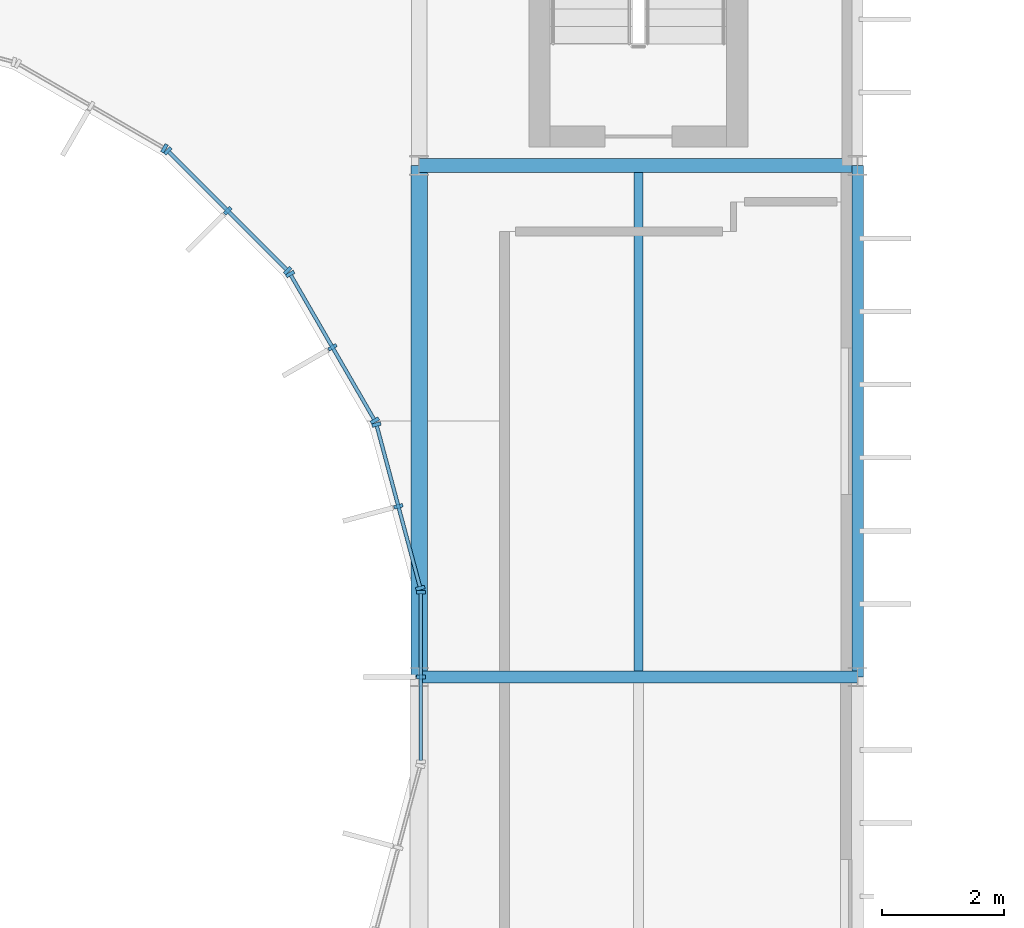
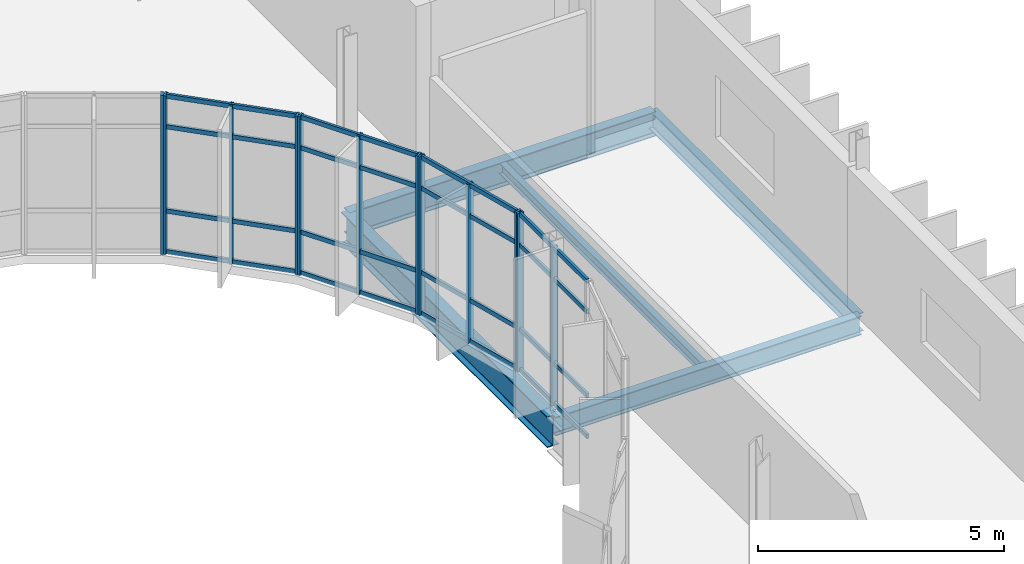
# One storey, part 25 of 61: 28 members, 5 beams, 5 elements without a shape of their own.
"""IFC4 building model written with IfcOpenShell, lengths in metres."""

from ifc_helpers import new_model, si_unit, direction, frame, origin, origin_2d, place, context, subcontext, project, spatial, rectangle, i_section, extrude, material, material_profile, profile_set, type_object, element, aggregate, save


model = new_model("IFC4")

# Units and contexts
model_context = context("Model", 3, precision=1e-05, world=origin(), true_north=direction((0.0, 1.0)))
body_context = subcontext(model_context, "Body", "Model", "MODEL_VIEW")
ifc_project = project(units=[si_unit("LENGTHUNIT", "METRE"), si_unit("AREAUNIT", "SQUARE_METRE"), si_unit("VOLUMEUNIT", "CUBIC_METRE"), si_unit("PLANEANGLEUNIT", "RADIAN"), si_unit("MASSUNIT", "GRAM", prefix="KILO")], contexts=[model_context])

# Site, building, storey
site_placement = place(None, origin())
site = spatial("IfcSite", under=ifc_project, at=site_placement, CompositionType="ELEMENT")
building_placement = place(site_placement, origin())
building = spatial("IfcBuilding", under=site, at=building_placement, Name="Qelthora Terrace Specialist Clinic", CompositionType="ELEMENT")
storey_placement = place(building_placement, frame((0.0, 0.0, 13.199951171875)))
storey = spatial("IfcBuildingStorey", under=building, at=storey_placement, Name="L03", CompositionType="ELEMENT", Elevation=13.199951171875)

# Beams
ifc_material_1 = material(Name="Steel S355", Category="steel")
ifc_material_profile_1 = material_profile(ifc_material_1, i_section(OverallWidth=0.19091796875, OverallDepth=0.4599609375, WebThickness=0.010009765625, FlangeThickness=0.01611328125, FilletRadius=0.012939453125, at=origin_2d()), Name="W460X82")
ifc_profile_set_1 = profile_set([ifc_material_profile_1], Name="Steel S355")
beam_type_1 = type_object("IfcBeamType", Name="BM-W460X82", PredefinedType="BEAM", material=ifc_profile_set_1)
beam_1_placement = place(storey_placement, frame((43.199951171875, 84.0, -0.47998046875), z_axis=(0.0, 1.0, 0.0), x_axis=(-1.0, 0.0, 0.0)))
element("IfcBeam", 1, at=beam_1_placement, inside=storey, type_object=beam_type_1, Name="Girder BMY-L03-1058", PredefinedType="BEAM", context=body_context, shape_type="SweptSolid", body=[
    extrude(i_section(OverallWidth=0.19091796875, OverallDepth=0.4599609375, WebThickness=0.010009765625, FlangeThickness=0.01611328125, FilletRadius=0.012939453125, at=origin_2d()), origin(), (0.0, 0.0, 1.0), 8.39990234375),
])
ifc_material_profile_2 = material_profile(ifc_material_1, i_section(OverallWidth=0.193115234375, OverallDepth=0.466064453125, WebThickness=0.011474609375, FlangeThickness=0.01904296875, FilletRadius=0.012939453125, at=origin_2d()), Name="W460X97")
ifc_profile_set_2 = profile_set([ifc_material_profile_2], Name="Steel S355")
beam_type_2 = type_object("IfcBeamType", Name="BM-W460X97", PredefinedType="BEAM", material=ifc_profile_set_2)
beam_2_placement = place(storey_placement, frame((36.0, 84.0, -0.48291015625), z_axis=(1.0, 0.0, 0.0), x_axis=(0.0, 1.0, 0.0)))
element("IfcBeam", 2, at=beam_2_placement, inside=storey, type_object=beam_type_2, Name="Girder BMX-L03-0973", PredefinedType="BEAM", context=body_context, shape_type="SweptSolid", body=[
    extrude(i_section(OverallWidth=0.193115234375, OverallDepth=0.466064453125, WebThickness=0.011474609375, FlangeThickness=0.01904296875, FilletRadius=0.012939453125, at=origin_2d()), origin(), (0.0, 0.0, 1.0), 7.199951171875),
])
ifc_material_profile_3 = material_profile(ifc_material_1, i_section(OverallWidth=0.22900390625, OverallDepth=0.612060546875, WebThickness=0.011962890625, FlangeThickness=0.01953125, FilletRadius=0.01611328125, at=origin_2d()), Name="W610X125")
ifc_profile_set_3 = profile_set([ifc_material_profile_3], Name="Steel S355")
beam_type_3 = type_object("IfcBeamType", Name="BM-W610X125", PredefinedType="BEAM", material=ifc_profile_set_3)
beam_3_placement = place(storey_placement, frame((36.0, 92.39990234375, -0.555908203125), z_axis=(1.0, 0.0, 0.0), x_axis=(0.0, 1.0, 0.0)))
element("IfcBeam", 3, at=beam_3_placement, inside=storey, type_object=beam_type_3, Name="Girder BMX-L03-0984", PredefinedType="BEAM", context=body_context, shape_type="SweptSolid", body=[
    extrude(i_section(OverallWidth=0.22900390625, OverallDepth=0.612060546875, WebThickness=0.011962890625, FlangeThickness=0.01953125, FilletRadius=0.01611328125, at=origin_2d()), origin(), (0.0, 0.0, 1.0), 7.199951171875),
])
ifc_material_profile_4 = material_profile(ifc_material_1, i_section(OverallWidth=0.26806640625, OverallDepth=0.77001953125, WebThickness=0.015625, FlangeThickness=0.025390625, FilletRadius=0.01904296875, at=origin_2d()), Name="W760X196")
ifc_profile_set_4 = profile_set([ifc_material_profile_4], Name="Steel S355")
beam_type_4 = type_object("IfcBeamType", Name="BM-W760X196", PredefinedType="BEAM", material=ifc_profile_set_4)
beam_4_placement = place(storey_placement, frame((36.0, 84.0, -0.635009765625), z_axis=(0.0, 1.0, 0.0), x_axis=(-1.0, 0.0, 0.0)))
element("IfcBeam", 4, at=beam_4_placement, inside=storey, type_object=beam_type_4, Name="Girder BMY-L03-1052", PredefinedType="BEAM", context=body_context, shape_type="SweptSolid", body=[
    extrude(i_section(OverallWidth=0.26806640625, OverallDepth=0.77001953125, WebThickness=0.015625, FlangeThickness=0.025390625, FilletRadius=0.01904296875, at=origin_2d()), origin(), (0.0, 0.0, 1.0), 8.39990234375),
])

# Curtain wall, members
ifc_material_2 = material(Name="Aluminium anodized bronze", Category="aluminium")
curtain_wall_type = type_object("IfcCurtainWallType", Name="CW-CRTW-UPP", PredefinedType="NOTDEFINED", material=ifc_material_2)
curtain_wall_1_placement = place(storey_placement, origin())
curtain_wall_1 = element("IfcCurtainWall", 5, at=curtain_wall_1_placement, inside=storey, type_object=curtain_wall_type, Name="Curtain wall CW-CW-L03-01", PredefinedType="NOTDEFINED")
ifc_material_profile_5 = material_profile(ifc_material_2, rectangle(XDim=0.06005859375, YDim=0.14990234375, at=origin_2d()), Name="CWM60X150")
ifc_profile_set_5 = profile_set([ifc_material_profile_5], Name="Aluminium anodized bronze")
member_type_1 = type_object("IfcMemberType", Name="CWM-60X150", PredefinedType="MULLION", material=ifc_profile_set_5)
member_1_placement = place(storey_placement, frame((36.018310546875, 85.4599609375, 0.0), z_axis=(0.0, 0.0, 1.0), x_axis=(-0.258820356987, 0.96592547477, 0.0)))
member_1 = element("IfcMember", 6, at=member_1_placement, type_object=member_type_1, Name="CW-CW-L03-01 mullion 1", PredefinedType="MULLION", context=body_context, shape_type="SweptSolid", body=[
    extrude(rectangle(XDim=0.06005859375, YDim=0.14990234375, at=origin_2d()), origin(), (0.0, 0.0, 1.0), 3.945068359375),
])
member_2_placement = place(storey_placement, frame((35.65869140625, 86.802490234375, 0.0), z_axis=(0.0, 0.0, 1.0), x_axis=(-0.258820356987, 0.96592547477, 0.0)))
member_2 = element("IfcMember", 7, at=member_2_placement, type_object=member_type_1, Name="CW-CW-L03-01 mullion 2", PredefinedType="MULLION", context=body_context, shape_type="SweptSolid", body=[
    extrude(rectangle(XDim=0.06005859375, YDim=0.14990234375, at=origin_2d()), origin(), (0.0, 0.0, 1.0), 3.945068359375),
])
member_3_placement = place(storey_placement, frame((35.299072265625, 88.144775390625, 0.0), z_axis=(0.0, 0.0, 1.0), x_axis=(-0.258820356987, 0.96592547477, 0.0)))
member_3 = element("IfcMember", 8, at=member_3_placement, type_object=member_type_1, Name="CW-CW-L03-01 mullion 3", PredefinedType="MULLION", context=body_context, shape_type="SweptSolid", body=[
    extrude(rectangle(XDim=0.06005859375, YDim=0.14990234375, at=origin_2d()), origin(), (0.0, 0.0, 1.0), 3.945068359375),
])

curtain_wall_2_placement = place(storey_placement, origin())
curtain_wall_2 = element("IfcCurtainWall", 9, at=curtain_wall_2_placement, inside=storey, type_object=curtain_wall_type, Name="Curtain wall CW-CW-L03-02", PredefinedType="NOTDEFINED")
member_4_placement = place(storey_placement, frame((35.271728515625, 88.210205078125, 0.0), z_axis=(0.0, 0.0, 1.0), x_axis=(-0.499999597971, 0.866025635896, 0.0)))
member_4 = element("IfcMember", 10, at=member_4_placement, type_object=member_type_1, Name="CW-CW-L03-02 mullion 1", PredefinedType="MULLION", context=body_context, shape_type="SweptSolid", body=[
    extrude(rectangle(XDim=0.06005859375, YDim=0.14990234375, at=origin_2d()), origin(), (0.0, 0.0, 1.0), 3.945068359375),
])
member_5_placement = place(storey_placement, frame((34.576904296875, 89.413818359375, 0.0), z_axis=(0.0, 0.0, 1.0), x_axis=(-0.499999597971, 0.866025635896, 0.0)))
member_5 = element("IfcMember", 11, at=member_5_placement, type_object=member_type_1, Name="CW-CW-L03-02 mullion 2", PredefinedType="MULLION", context=body_context, shape_type="SweptSolid", body=[
    extrude(rectangle(XDim=0.06005859375, YDim=0.14990234375, at=origin_2d()), origin(), (0.0, 0.0, 1.0), 3.945068359375),
])
member_6_placement = place(storey_placement, frame((33.882080078125, 90.6171875, 0.0), z_axis=(0.0, 0.0, 1.0), x_axis=(-0.499999597971, 0.866025635896, 0.0)))
member_6 = element("IfcMember", 12, at=member_6_placement, type_object=member_type_1, Name="CW-CW-L03-02 mullion 3", PredefinedType="MULLION", context=body_context, shape_type="SweptSolid", body=[
    extrude(rectangle(XDim=0.06005859375, YDim=0.14990234375, at=origin_2d()), origin(), (0.0, 0.0, 1.0), 3.945068359375),
])

curtain_wall_3_placement = place(storey_placement, origin())
curtain_wall_3 = element("IfcCurtainWall", 13, at=curtain_wall_3_placement, inside=storey, type_object=curtain_wall_type, Name="Curtain wall CW-CW-L03-03", PredefinedType="NOTDEFINED")
member_7_placement = place(storey_placement, frame((33.8388671875, 90.673583984375, 0.0), z_axis=(0.0, 0.0, 1.0), x_axis=(-0.707106781187, 0.707106781187, 0.0)))
member_7 = element("IfcMember", 14, at=member_7_placement, type_object=member_type_1, Name="CW-CW-L03-03 mullion 1", PredefinedType="MULLION", context=body_context, shape_type="SweptSolid", body=[
    extrude(rectangle(XDim=0.06005859375, YDim=0.14990234375, at=origin_2d()), origin(), (0.0, 0.0, 1.0), 3.945068359375),
])
member_8_placement = place(storey_placement, frame((32.856201171875, 91.65625, 0.0), z_axis=(0.0, 0.0, 1.0), x_axis=(-0.707106781187, 0.707106781187, 0.0)))
member_8 = element("IfcMember", 15, at=member_8_placement, type_object=member_type_1, Name="CW-CW-L03-03 mullion 2", PredefinedType="MULLION", context=body_context, shape_type="SweptSolid", body=[
    extrude(rectangle(XDim=0.06005859375, YDim=0.14990234375, at=origin_2d()), origin(), (0.0, 0.0, 1.0), 3.945068359375),
])
member_9_placement = place(storey_placement, frame((31.87353515625, 92.638916015625, 0.0), z_axis=(0.0, 0.0, 1.0), x_axis=(-0.707106781187, 0.707106781187, 0.0)))
member_9 = element("IfcMember", 16, at=member_9_placement, type_object=member_type_1, Name="CW-CW-L03-03 mullion 3", PredefinedType="MULLION", context=body_context, shape_type="SweptSolid", body=[
    extrude(rectangle(XDim=0.06005859375, YDim=0.14990234375, at=origin_2d()), origin(), (0.0, 0.0, 1.0), 3.945068359375),
])

# Curtain wall, member
curtain_wall_4_placement = place(storey_placement, origin())
curtain_wall_4 = element("IfcCurtainWall", 17, at=curtain_wall_4_placement, inside=storey, type_object=curtain_wall_type, Name="Curtain wall CW-CW-L03-04", PredefinedType="NOTDEFINED")
member_10_placement = place(storey_placement, frame((31.8173828125, 92.68212890625, 0.0), z_axis=(0.0, 0.0, 1.0), x_axis=(-0.866025635896, 0.499999597971, 0.0)))
member_10 = element("IfcMember", 18, at=member_10_placement, type_object=member_type_1, Name="CW-CW-L03-04 mullion 1", PredefinedType="MULLION", context=body_context, shape_type="SweptSolid", body=[
    extrude(rectangle(XDim=0.06005859375, YDim=0.14990234375, at=origin_2d()), origin(), (0.0, 0.0, 1.0), 3.945068359375),
])
aggregate(curtain_wall_4, [member_10])

# Curtain wall, members
curtain_wall_5_placement = place(storey_placement, origin())
curtain_wall_5 = element("IfcCurtainWall", 19, at=curtain_wall_5_placement, inside=storey, type_object=curtain_wall_type, Name="Curtain wall CW-CW-L03-24", PredefinedType="NOTDEFINED")
member_11_placement = place(storey_placement, frame((36.027587890625, 84.0, 0.0), z_axis=(0.0, 0.0, 1.0), x_axis=(0.0, 1.0, 0.0)))
member_11 = element("IfcMember", 20, at=member_11_placement, type_object=member_type_1, Name="CW-CW-L03-24 mullion 2", PredefinedType="MULLION", context=body_context, shape_type="SweptSolid", body=[
    extrude(rectangle(XDim=0.06005859375, YDim=0.14990234375, at=origin_2d()), origin(), (0.0, 0.0, 1.0), 3.945068359375),
])
member_12_placement = place(storey_placement, frame((36.027587890625, 85.3896484375, 0.0), z_axis=(0.0, 0.0, 1.0), x_axis=(0.0, 1.0, 0.0)))
member_12 = element("IfcMember", 21, at=member_12_placement, type_object=member_type_1, Name="CW-CW-L03-24 mullion 3", PredefinedType="MULLION", context=body_context, shape_type="SweptSolid", body=[
    extrude(rectangle(XDim=0.06005859375, YDim=0.14990234375, at=origin_2d()), origin(), (0.0, 0.0, 1.0), 3.945068359375),
])

# Member
ifc_material_profile_6 = material_profile(ifc_material_2, rectangle(XDim=0.06005859375, YDim=0.110107421875, at=origin_2d()), Name="CWT60X110")
ifc_profile_set_6 = profile_set([ifc_material_profile_6], Name="Aluminium anodized bronze")
member_type_2 = type_object("IfcMemberType", Name="CWT-60X110", PredefinedType="USERDEFINED", material=ifc_profile_set_6)
member_13_placement = place(storey_placement, frame((36.01318359375, 85.4794921875, 0.0400390625), z_axis=(-0.258816272122, 0.965926569303, 0.0), x_axis=(-0.965926569303, -0.258816272122, 0.0)))
member_13 = element("IfcMember", 22, at=member_13_placement, type_object=member_type_2, Name="CW-CW-L03-01 transom 1", ObjectType="TRANSOM", PredefinedType="USERDEFINED", context=body_context, shape_type="SweptSolid", body=[
    extrude(rectangle(XDim=0.06005859375, YDim=0.110107421875, at=origin_2d()), origin(), (0.0, 0.0, 1.0), 2.7392578125),
])

member_14_placement = place(storey_placement, frame((36.01318359375, 85.4794921875, 1.050048828125), z_axis=(-0.258816272122, 0.965926569303, 0.0), x_axis=(-0.965926569303, -0.258816272122, 0.0)))
member_14 = element("IfcMember", 23, at=member_14_placement, type_object=member_type_2, Name="CW-CW-L03-01 transom 2", ObjectType="TRANSOM", PredefinedType="USERDEFINED", context=body_context, shape_type="SweptSolid", body=[
    extrude(rectangle(XDim=0.06005859375, YDim=0.110107421875, at=origin_2d()), origin(), (0.0, 0.0, 1.0), 2.7392578125),
])

member_15_placement = place(storey_placement, frame((36.01318359375, 85.4794921875, 3.14501953125), z_axis=(-0.258816272122, 0.965926569303, 0.0), x_axis=(-0.965926569303, -0.258816272122, 0.0)))
member_15 = element("IfcMember", 24, at=member_15_placement, type_object=member_type_2, Name="CW-CW-L03-01 transom 3", ObjectType="TRANSOM", PredefinedType="USERDEFINED", context=body_context, shape_type="SweptSolid", body=[
    extrude(rectangle(XDim=0.06005859375, YDim=0.110107421875, at=origin_2d()), origin(), (0.0, 0.0, 1.0), 2.7392578125),
])

member_16_placement = place(storey_placement, frame((36.01318359375, 85.4794921875, 3.905029296875), z_axis=(-0.258816272122, 0.965926569303, 0.0), x_axis=(-0.965926569303, -0.258816272122, 0.0)))
member_16 = element("IfcMember", 25, at=member_16_placement, type_object=member_type_2, Name="CW-CW-L03-01 transom 4", ObjectType="TRANSOM", PredefinedType="USERDEFINED", context=body_context, shape_type="SweptSolid", body=[
    extrude(rectangle(XDim=0.06005859375, YDim=0.110107421875, at=origin_2d()), origin(), (0.0, 0.0, 1.0), 2.7392578125),
])

aggregate(curtain_wall_1, [member_1, member_2, member_3, member_13, member_14, member_15, member_16])

member_17_placement = place(storey_placement, frame((35.26171875, 88.2275390625, 0.0400390625), z_axis=(-0.499953886166, 0.866052025982, 0.0), x_axis=(-0.866052025982, -0.499953886166, 0.0)))
member_17 = element("IfcMember", 26, at=member_17_placement, type_object=member_type_2, Name="CW-CW-L03-02 transom 1", ObjectType="TRANSOM", PredefinedType="USERDEFINED", context=body_context, shape_type="SweptSolid", body=[
    extrude(rectangle(XDim=0.06005859375, YDim=0.110107421875, at=origin_2d()), origin(), (0.0, 0.0, 1.0), 2.739501953125),
])

member_18_placement = place(storey_placement, frame((35.26171875, 88.2275390625, 1.050048828125), z_axis=(-0.499953886166, 0.866052025982, 0.0), x_axis=(-0.866052025982, -0.499953886166, 0.0)))
member_18 = element("IfcMember", 27, at=member_18_placement, type_object=member_type_2, Name="CW-CW-L03-02 transom 2", ObjectType="TRANSOM", PredefinedType="USERDEFINED", context=body_context, shape_type="SweptSolid", body=[
    extrude(rectangle(XDim=0.06005859375, YDim=0.110107421875, at=origin_2d()), origin(), (0.0, 0.0, 1.0), 2.739501953125),
])

member_19_placement = place(storey_placement, frame((35.26171875, 88.2275390625, 3.14501953125), z_axis=(-0.499953886166, 0.866052025982, 0.0), x_axis=(-0.866052025982, -0.499953886166, 0.0)))
member_19 = element("IfcMember", 28, at=member_19_placement, type_object=member_type_2, Name="CW-CW-L03-02 transom 3", ObjectType="TRANSOM", PredefinedType="USERDEFINED", context=body_context, shape_type="SweptSolid", body=[
    extrude(rectangle(XDim=0.06005859375, YDim=0.110107421875, at=origin_2d()), origin(), (0.0, 0.0, 1.0), 2.739501953125),
])

member_20_placement = place(storey_placement, frame((35.26171875, 88.2275390625, 3.905029296875), z_axis=(-0.499953886166, 0.866052025982, 0.0), x_axis=(-0.866052025982, -0.499953886166, 0.0)))
member_20 = element("IfcMember", 29, at=member_20_placement, type_object=member_type_2, Name="CW-CW-L03-02 transom 4", ObjectType="TRANSOM", PredefinedType="USERDEFINED", context=body_context, shape_type="SweptSolid", body=[
    extrude(rectangle(XDim=0.06005859375, YDim=0.110107421875, at=origin_2d()), origin(), (0.0, 0.0, 1.0), 2.739501953125),
])

aggregate(curtain_wall_2, [member_4, member_5, member_6, member_17, member_18, member_19, member_20])

member_21_placement = place(storey_placement, frame((33.82470703125, 90.687744140625, 0.0400390625), z_axis=(-0.707106781187, 0.707106781187, 0.0), x_axis=(-0.707106781187, -0.707106781187, 0.0)))
member_21 = element("IfcMember", 30, at=member_21_placement, type_object=member_type_2, Name="CW-CW-L03-03 transom 1", ObjectType="TRANSOM", PredefinedType="USERDEFINED", context=body_context, shape_type="SweptSolid", body=[
    extrude(rectangle(XDim=0.06005859375, YDim=0.110107421875, at=origin_2d()), origin(), (0.0, 0.0, 1.0), 2.7392578125),
])

member_22_placement = place(storey_placement, frame((33.82470703125, 90.687744140625, 1.050048828125), z_axis=(-0.707106781187, 0.707106781187, 0.0), x_axis=(-0.707106781187, -0.707106781187, 0.0)))
member_22 = element("IfcMember", 31, at=member_22_placement, type_object=member_type_2, Name="CW-CW-L03-03 transom 2", ObjectType="TRANSOM", PredefinedType="USERDEFINED", context=body_context, shape_type="SweptSolid", body=[
    extrude(rectangle(XDim=0.06005859375, YDim=0.110107421875, at=origin_2d()), origin(), (0.0, 0.0, 1.0), 2.7392578125),
])

member_23_placement = place(storey_placement, frame((33.82470703125, 90.687744140625, 3.14501953125), z_axis=(-0.707106781187, 0.707106781187, 0.0), x_axis=(-0.707106781187, -0.707106781187, 0.0)))
member_23 = element("IfcMember", 32, at=member_23_placement, type_object=member_type_2, Name="CW-CW-L03-03 transom 3", ObjectType="TRANSOM", PredefinedType="USERDEFINED", context=body_context, shape_type="SweptSolid", body=[
    extrude(rectangle(XDim=0.06005859375, YDim=0.110107421875, at=origin_2d()), origin(), (0.0, 0.0, 1.0), 2.7392578125),
])

member_24_placement = place(storey_placement, frame((33.82470703125, 90.687744140625, 3.905029296875), z_axis=(-0.707106781187, 0.707106781187, 0.0), x_axis=(-0.707106781187, -0.707106781187, 0.0)))
member_24 = element("IfcMember", 33, at=member_24_placement, type_object=member_type_2, Name="CW-CW-L03-03 transom 4", ObjectType="TRANSOM", PredefinedType="USERDEFINED", context=body_context, shape_type="SweptSolid", body=[
    extrude(rectangle(XDim=0.06005859375, YDim=0.110107421875, at=origin_2d()), origin(), (0.0, 0.0, 1.0), 2.7392578125),
])

aggregate(curtain_wall_3, [member_7, member_8, member_9, member_21, member_22, member_23, member_24])

member_25_placement = place(storey_placement, frame((36.027587890625, 82.63037109375, 0.0400390625), z_axis=(0.0, 1.0, 0.0), x_axis=(-1.0, 0.0, 0.0)))
member_25 = element("IfcMember", 34, at=member_25_placement, type_object=member_type_2, Name="CW-CW-L03-24 transom 1", ObjectType="TRANSOM", PredefinedType="USERDEFINED", context=body_context, shape_type="SweptSolid", body=[
    extrude(rectangle(XDim=0.06005859375, YDim=0.110107421875, at=origin_2d()), origin(), (0.0, 0.0, 1.0), 2.7392578125),
])

member_26_placement = place(storey_placement, frame((36.027587890625, 82.63037109375, 1.050048828125), z_axis=(0.0, 1.0, 0.0), x_axis=(-1.0, 0.0, 0.0)))
member_26 = element("IfcMember", 35, at=member_26_placement, type_object=member_type_2, Name="CW-CW-L03-24 transom 2", ObjectType="TRANSOM", PredefinedType="USERDEFINED", context=body_context, shape_type="SweptSolid", body=[
    extrude(rectangle(XDim=0.06005859375, YDim=0.110107421875, at=origin_2d()), origin(), (0.0, 0.0, 1.0), 2.7392578125),
])

member_27_placement = place(storey_placement, frame((36.027587890625, 82.63037109375, 3.14501953125), z_axis=(0.0, 1.0, 0.0), x_axis=(-1.0, 0.0, 0.0)))
member_27 = element("IfcMember", 36, at=member_27_placement, type_object=member_type_2, Name="CW-CW-L03-24 transom 3", ObjectType="TRANSOM", PredefinedType="USERDEFINED", context=body_context, shape_type="SweptSolid", body=[
    extrude(rectangle(XDim=0.06005859375, YDim=0.110107421875, at=origin_2d()), origin(), (0.0, 0.0, 1.0), 2.7392578125),
])

member_28_placement = place(storey_placement, frame((36.027587890625, 82.63037109375, 3.905029296875), z_axis=(0.0, 1.0, 0.0), x_axis=(-1.0, 0.0, 0.0)))
member_28 = element("IfcMember", 37, at=member_28_placement, type_object=member_type_2, Name="CW-CW-L03-24 transom 4", ObjectType="TRANSOM", PredefinedType="USERDEFINED", context=body_context, shape_type="SweptSolid", body=[
    extrude(rectangle(XDim=0.06005859375, YDim=0.110107421875, at=origin_2d()), origin(), (0.0, 0.0, 1.0), 2.7392578125),
])

aggregate(curtain_wall_5, [member_11, member_12, member_25, member_26, member_27, member_28])

# Beam
ifc_material_profile_7 = material_profile(ifc_material_1, i_section(OverallWidth=0.14697265625, OverallDepth=0.261962890625, WebThickness=0.006591796875, FlangeThickness=0.01123046875, FilletRadius=0.009033203125, at=origin_2d()), Name="W250X39")
ifc_profile_set_7 = profile_set([ifc_material_profile_7], Name="Steel S355")
beam_type_5 = type_object("IfcBeamType", Name="JST-W250X39", PredefinedType="JOIST", material=ifc_profile_set_7)
beam_5_placement = place(storey_placement, frame((39.60009765625, 84.096435546875, -0.380859375), z_axis=(0.0, 1.0, 0.0), x_axis=(-1.0, 0.0, 0.0)))
element("IfcBeam", 38, at=beam_5_placement, inside=storey, type_object=beam_type_5, Name="Composite floor joist JST-L03-0233", PredefinedType="JOIST", context=body_context, shape_type="SweptSolid", body=[
    extrude(i_section(OverallWidth=0.14697265625, OverallDepth=0.261962890625, WebThickness=0.006591796875, FlangeThickness=0.01123046875, FilletRadius=0.009033203125, at=origin_2d()), origin(), (0.0, 0.0, 1.0), 8.18896484375),
])

save(model, "model.ifc")
